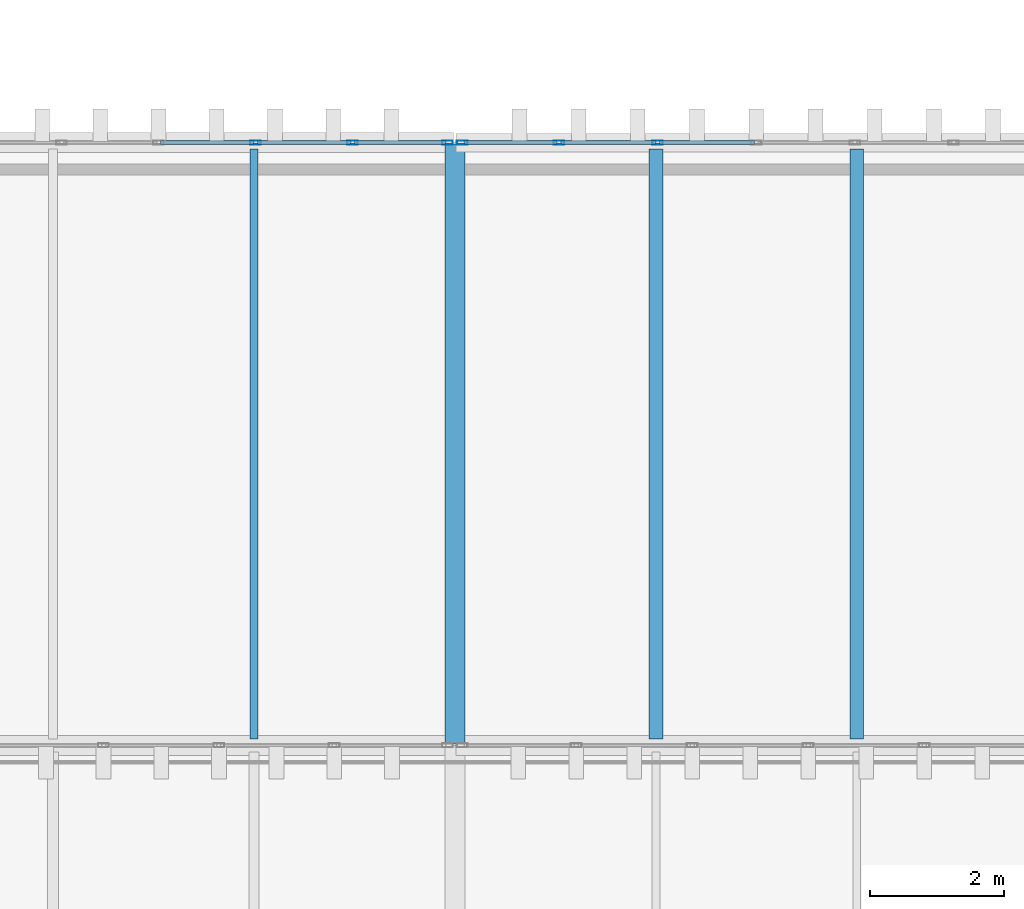
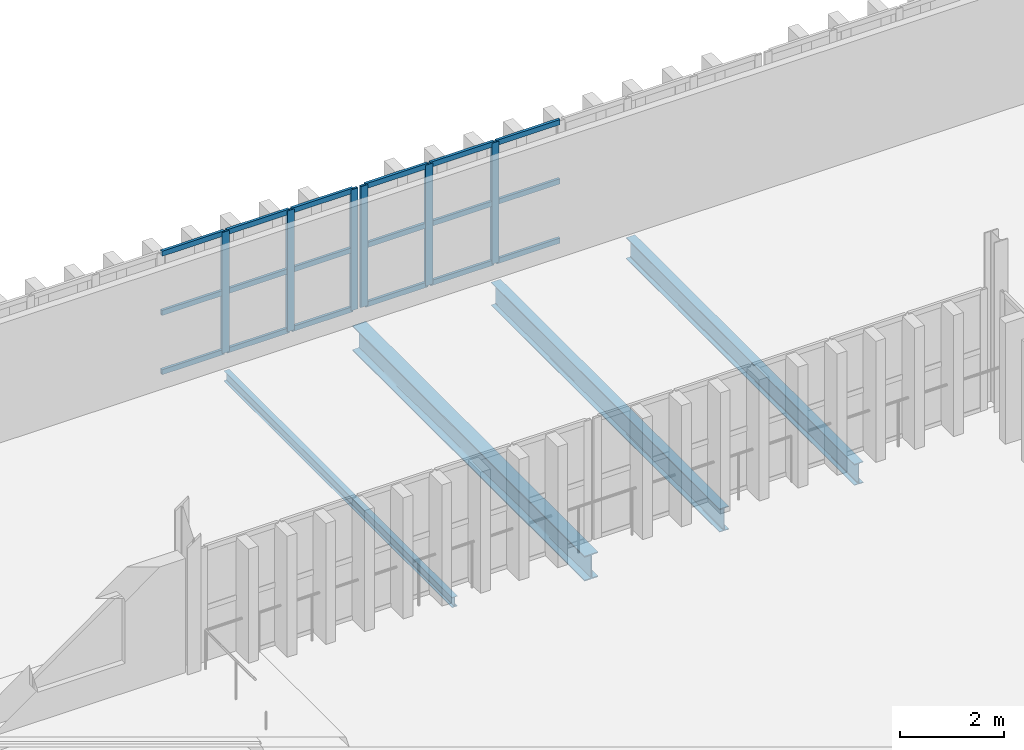
# One storey, part 42 of 102: 24 members, 4 beams, 2 elements without a shape of their own.
"""IFC4 building model written with IfcOpenShell, lengths in metres."""

import ifcopenshell
import ifcopenshell.guid

model = None  # the IFC model being written
_history = None  # IfcOwnerHistory: only IFC2X3 demands one
_inside = {}  # id of a spatial element -> (the spatial element, [elements in it])
_under = {}  # id of a project, library or spatial element -> (it, [spatial elements below it])
_declared = {}  # id of a project -> (the project, [libraries it declares])
_typed = {}  # id of a type object -> (the type object, [elements of that type])
_made_of = {}  # id of a material, layer set ... -> (it, [elements and type objects made of it])


def new_model(schema):
    """Start an empty IFC model of exactly this schema.

    Asked for "IFC4X3", IfcOpenShell would pick the latest addendum, in which some entities
    have other attributes; the version numbers below select the first issue.
    IFC2X3 requires an IfcOwnerHistory on every rooted entity: one is made here for all.
    """
    global model, _history
    if schema == "IFC4X3":
        model = ifcopenshell.file(schema_version=(4, 3, 0, 0))
    else:
        model = ifcopenshell.file(schema=schema)
    _inside.clear()
    _under.clear()
    _declared.clear()
    _typed.clear()
    _made_of.clear()
    _history = None
    if model.schema == "IFC2X3":
        org = make("IfcOrganization", Name="unknown")
        user = make(
            "IfcPersonAndOrganization",
            ThePerson=make("IfcPerson", FamilyName="unknown"),
            TheOrganization=org,
        )
        app = make(
            "IfcApplication",
            ApplicationDeveloper=org,
            Version="unknown",
            ApplicationFullName="unknown",
            ApplicationIdentifier="unknown",
        )
        _history = make(
            "IfcOwnerHistory",
            OwningUser=user,
            OwningApplication=app,
            ChangeAction="ADDED",
            CreationDate=0,
        )
    return model


def make(cls, **values):
    """One entity of the class cls with the attributes given. An attribute that is None is left unset."""
    return model.create_entity(
        cls, **{name: value for name, value in values.items() if value is not None}
    )


def rooted(cls, **values):
    """An entity with a GlobalId (a new one), such as an element, a storey or a relation."""
    return make(cls, GlobalId=ifcopenshell.guid.new(), OwnerHistory=_history, **values)


def si_unit(unit_type, name, prefix=None):
    """IfcSIUnit, for example si_unit("LENGTHUNIT", "METRE", prefix="MILLI")."""
    return make("IfcSIUnit", UnitType=unit_type, Prefix=prefix, Name=name)


def assignment(units):
    """IfcUnitAssignment: the units of a project."""
    return None if units is None else make("IfcUnitAssignment", Units=units)


def point(xyz):
    """IfcCartesianPoint."""
    return None if xyz is None else make("IfcCartesianPoint", Coordinates=xyz)


def direction(xyz):
    """IfcDirection."""
    return None if xyz is None else make("IfcDirection", DirectionRatios=xyz)


def frame(location, z_axis=None, x_axis=None):
    """IfcAxis2Placement3D, a coordinate frame: its origin and axes. An axis left out is left unset."""
    return make(
        "IfcAxis2Placement3D",
        Location=point(location),
        Axis=direction(z_axis),
        RefDirection=direction(x_axis),
    )


def frame_2d(location, x_axis=None):
    """IfcAxis2Placement2D, a coordinate frame in the plane: its origin and x axis."""
    return make(
        "IfcAxis2Placement2D", Location=point(location), RefDirection=direction(x_axis)
    )


def origin():
    """The frame at (0, 0, 0) with its axes left unset."""
    return frame((0.0, 0.0, 0.0))


def origin_2d():
    """The frame at (0, 0) in the plane with its x axis left unset."""
    return frame_2d((0.0, 0.0))


def place(relative_to, where):
    """IfcLocalPlacement: puts the frame where relative to a parent placement (None: the world)."""
    return make(
        "IfcLocalPlacement", PlacementRelTo=relative_to, RelativePlacement=where
    )


def context(
    kind, dimensions, precision=None, world=None, true_north=None, identifier=None
):
    """IfcGeometricRepresentationContext, for example the 3D "Model" context."""
    return make(
        "IfcGeometricRepresentationContext",
        ContextIdentifier=identifier,
        ContextType=kind,
        CoordinateSpaceDimension=dimensions,
        Precision=precision,
        WorldCoordinateSystem=world,
        TrueNorth=true_north,
    )


def subcontext(parent, identifier, kind, view, scale=None):
    """IfcGeometricRepresentationSubContext, for example "Body" below "Model"."""
    return make(
        "IfcGeometricRepresentationSubContext",
        ContextIdentifier=identifier,
        ContextType=kind,
        ParentContext=parent,
        TargetScale=scale,
        TargetView=view,
    )


def project(units=None, contexts=None):
    """IfcProject with its units and contexts."""
    return rooted(
        "IfcProject",
        Name="project",
        RepresentationContexts=contexts,
        UnitsInContext=assignment(units),
    )


def spatial(cls, under=None, at=None, **own):
    """A site, building, storey or space (cls), placed at a placement, below another one or the project."""
    s = rooted(cls, ObjectPlacement=at, **own)
    if under is not None:
        _under.setdefault(under.id(), (under, []))[1].append(s)
    return s


def profile(cls, at=None, kind="AREA", **sizes):
    """A parametric profile (cls). Its sizes go by their IFC names, for example OverallWidth=200.0."""
    return make(cls, ProfileType=kind, Position=at, **sizes)


def hollow_rectangle(**sizes):
    """IfcRectangleHollowProfileDef."""
    return profile("IfcRectangleHollowProfileDef", **sizes)


def i_section(**sizes):
    """IfcIShapeProfileDef."""
    return profile("IfcIShapeProfileDef", **sizes)


def extrude(swept, where, along, depth):
    """IfcExtrudedAreaSolid: the profile swept, set in the frame where, extruded along a direction by depth."""
    return make(
        "IfcExtrudedAreaSolid",
        SweptArea=swept,
        Position=where,
        ExtrudedDirection=direction(along),
        Depth=depth,
    )


def shape(context_of_items, identifier, shape_type, items):
    """IfcShapeRepresentation: the items that make up one representation, for example the "Body"."""
    return make(
        "IfcShapeRepresentation",
        ContextOfItems=context_of_items,
        RepresentationIdentifier=identifier,
        RepresentationType=shape_type,
        Items=items,
    )


def material(Name=None, Category=None):
    """IfcMaterial."""
    return make("IfcMaterial", Name=Name, Category=Category)


def layer(
    of_material, thickness, ventilated=None, Name=None, Category=None, Priority=None
):
    """IfcMaterialLayer: one layer of a wall or slab, of a material (None: an air gap)."""
    return make(
        "IfcMaterialLayer",
        Material=of_material,
        LayerThickness=thickness,
        IsVentilated=ventilated,
        Name=Name,
        Category=Category,
        Priority=Priority,
    )


def layer_set(layers, Name=None):
    """IfcMaterialLayerSet."""
    return make("IfcMaterialLayerSet", MaterialLayers=layers, LayerSetName=Name)


def material_profile(
    of_material, cross_section, Name=None, Category=None, Priority=None
):
    """IfcMaterialProfile: a cross section and its material."""
    return make(
        "IfcMaterialProfile",
        Name=Name,
        Material=of_material,
        Profile=cross_section,
        Priority=Priority,
        Category=Category,
    )


def profile_set(profiles, Name=None, composite=None):
    """IfcMaterialProfileSet."""
    return make(
        "IfcMaterialProfileSet",
        Name=Name,
        MaterialProfiles=profiles,
        CompositeProfile=composite,
    )


def made_of(thing, what):
    """Note that an element or type object is made of a material, layer set ...; save() writes the relation."""
    if what is not None:
        _made_of.setdefault(what.id(), (what, []))[1].append(thing)
    return thing


def type_object(cls, material=None, **own):
    """A type object (cls), such as IfcWallType, which elements share."""
    return made_of(rooted(cls, **own), material)


def element(
    cls,
    number,
    at=None,
    inside=None,
    cuts=None,
    type_object=None,
    material=None,
    context=None,
    identifier="Body",
    shape_type=None,
    held_by="IfcProductDefinitionShape",
    body=None,
    shapes=None,
    **own,
):
    """One element of the class cls, such as IfcWall. Its Tag is "e" and its number.

    at: its placement. inside: the storey or other place that contains it. cuts: it is an
    opening in that element (IfcRelVoidsElement). A single representation is given by context,
    identifier, shape_type and body (its items); several are given by shapes. held_by: the class
    of the entity that holds the representations. save() writes the other relations.
    """
    e = rooted(cls, Tag="e%d" % number, ObjectPlacement=at, **own)
    if body is not None:
        shapes = [shape(context, identifier, shape_type, body)]
    if shapes is not None:
        e.Representation = make(held_by, Representations=shapes)
    if inside is not None:
        _inside.setdefault(inside.id(), (inside, []))[1].append(e)
    if cuts is not None:
        rooted(
            "IfcRelVoidsElement", RelatingBuildingElement=cuts, RelatedOpeningElement=e
        )
    if type_object is not None:
        _typed.setdefault(type_object.id(), (type_object, []))[1].append(e)
    return made_of(e, material)


def aggregate(whole, parts):
    """IfcRelAggregates: a whole, such as a stair, and the parts it consists of."""
    return rooted("IfcRelAggregates", RelatingObject=whole, RelatedObjects=parts)


def save(model, path):
    """Write the relations noted so far, then the file.

    IfcRelAggregates (storeys below a building ...), IfcRelContainedInSpatialStructure (elements
    in a storey), IfcRelDefinesByType, IfcRelAssociatesMaterial and IfcRelDeclares: one each for
    every whole, place, type object, material and project.
    """
    for whole, parts in _under.values():
        aggregate(whole, parts)
    for where, things in _inside.values():
        rooted(
            "IfcRelContainedInSpatialStructure",
            RelatedElements=things,
            RelatingStructure=where,
        )
    for kind, things in _typed.values():
        rooted("IfcRelDefinesByType", RelatedObjects=things, RelatingType=kind)
    for what, things in _made_of.values():
        rooted("IfcRelAssociatesMaterial", RelatedObjects=things, RelatingMaterial=what)
    for by, libraries in _declared.values():
        rooted("IfcRelDeclares", RelatingContext=by, RelatedDefinitions=libraries)
    model.write(path)


model = new_model("IFC4")

# Units and contexts
model_context = context("Model", 3, precision=1e-05, world=origin(), true_north=direction((0.0, 1.0)))
body_context = subcontext(model_context, "Body", "Model", "MODEL_VIEW")
ifc_project = project(units=[si_unit("LENGTHUNIT", "METRE"), si_unit("AREAUNIT", "SQUARE_METRE"), si_unit("VOLUMEUNIT", "CUBIC_METRE"), si_unit("PLANEANGLEUNIT", "RADIAN"), si_unit("MASSUNIT", "GRAM", prefix="KILO")], contexts=[model_context])

# Site, building, storey
site_placement = place(None, origin())
site = spatial("IfcSite", under=ifc_project, at=site_placement, CompositionType="ELEMENT")
building_placement = place(site_placement, origin())
building = spatial("IfcBuilding", under=site, at=building_placement, Name="Barlavento Convention Centre", CompositionType="ELEMENT")
storey_placement = place(building_placement, frame((0.0, 0.0, 22.800048828125)))
storey = spatial("IfcBuildingStorey", under=building, at=storey_placement, Name="L04", CompositionType="ELEMENT", Elevation=22.800048828125)

# Curtain wall, members
ifc_material_1 = material(Name="Powder-coated aluminium and Low-E glass", Category="aluminium")
ifc_layer = layer(ifc_material_1, 0.179931640625)
ifc_layer_set = layer_set([ifc_layer], Name="ARC-CW-PATIO-B")
curtain_wall_type = type_object("IfcCurtainWallType", Name="ARC-CW-PATIO-B", PredefinedType="NOTDEFINED", material=ifc_layer_set)
curtain_wall_1_placement = place(storey_placement, origin())
curtain_wall_1 = element("IfcCurtainWall", 1, at=curtain_wall_1_placement, inside=storey, type_object=curtain_wall_type, Name="L04 unitised curtain wall CW12", PredefinedType="NOTDEFINED")
ifc_material_2 = material(Name="Powder-coated aluminium", Category="aluminium")
ifc_material_profile_1 = material_profile(ifc_material_2, hollow_rectangle(XDim=0.06005859375, YDim=0.159912109375, WallThickness=0.00390625, at=origin_2d()), Name="AL-MULL 60x160x4")
ifc_profile_set_1 = profile_set([ifc_material_profile_1], Name="Powder-coated aluminium")
member_type_1 = type_object("IfcMemberType", Name="ARC-CWM-60X160", PredefinedType="MULLION", material=ifc_profile_set_1)
member_1_placement = place(storey_placement, frame((141.0234375, 63.0, 0.0), z_axis=(0.0, 0.0, 1.0), x_axis=(0.0, 1.0, 0.0)))
member_1 = element("IfcMember", 2, at=member_1_placement, type_object=member_type_1, Name="CW12 mullion 5", PredefinedType="MULLION", context=body_context, shape_type="SweptSolid", body=[
    extrude(hollow_rectangle(XDim=0.06005859375, YDim=0.159912109375, WallThickness=0.00390625, at=origin_2d()), origin(), (0.0, 0.0, 1.0), 2.849853515625),
])
member_2_placement = place(storey_placement, frame((142.4716796875, 63.0, 0.0), z_axis=(0.0, 0.0, 1.0), x_axis=(0.0, 1.0, 0.0)))
member_2 = element("IfcMember", 3, at=member_2_placement, type_object=member_type_1, Name="CW12 mullion 6", PredefinedType="MULLION", context=body_context, shape_type="SweptSolid", body=[
    extrude(hollow_rectangle(XDim=0.06005859375, YDim=0.159912109375, WallThickness=0.00390625, at=origin_2d()), origin(), (0.0, 0.0, 1.0), 2.849853515625),
])
member_3_placement = place(storey_placement, frame((143.889892578125, 63.0, 0.0), z_axis=(0.0, 0.0, 1.0), x_axis=(0.0, 1.0, 0.0)))
member_3 = element("IfcMember", 4, at=member_3_placement, type_object=member_type_1, Name="CW12 mullion 7", PredefinedType="MULLION", context=body_context, shape_type="SweptSolid", body=[
    extrude(hollow_rectangle(XDim=0.06005859375, YDim=0.159912109375, WallThickness=0.00390625, at=origin_2d()), origin(), (0.0, 0.0, 1.0), 2.849853515625),
])

curtain_wall_2_placement = place(storey_placement, origin())
curtain_wall_2 = element("IfcCurtainWall", 5, at=curtain_wall_2_placement, inside=storey, type_object=curtain_wall_type, Name="L04 unitised curtain wall CW12", PredefinedType="NOTDEFINED")
member_4_placement = place(storey_placement, frame((144.110107421875, 63.0, 0.0), z_axis=(0.0, 0.0, 1.0), x_axis=(0.0, 1.0, 0.0)))
member_4 = element("IfcMember", 6, at=member_4_placement, type_object=member_type_1, Name="CW12 mullion 1", PredefinedType="MULLION", context=body_context, shape_type="SweptSolid", body=[
    extrude(hollow_rectangle(XDim=0.06005859375, YDim=0.159912109375, WallThickness=0.00390625, at=origin_2d()), origin(), (0.0, 0.0, 1.0), 2.849853515625),
])
member_5_placement = place(storey_placement, frame((145.55322265625, 63.0, 0.0), z_axis=(0.0, 0.0, 1.0), x_axis=(0.0, 1.0, 0.0)))
member_5 = element("IfcMember", 7, at=member_5_placement, type_object=member_type_1, Name="CW12 mullion 2", PredefinedType="MULLION", context=body_context, shape_type="SweptSolid", body=[
    extrude(hollow_rectangle(XDim=0.06005859375, YDim=0.159912109375, WallThickness=0.00390625, at=origin_2d()), origin(), (0.0, 0.0, 1.0), 2.849853515625),
])
member_6_placement = place(storey_placement, frame((147.026611328125, 63.0, 0.0), z_axis=(0.0, 0.0, 1.0), x_axis=(0.0, 1.0, 0.0)))
member_6 = element("IfcMember", 8, at=member_6_placement, type_object=member_type_1, Name="CW12 mullion 3", PredefinedType="MULLION", context=body_context, shape_type="SweptSolid", body=[
    extrude(hollow_rectangle(XDim=0.06005859375, YDim=0.159912109375, WallThickness=0.00390625, at=origin_2d()), origin(), (0.0, 0.0, 1.0), 2.849853515625),
])

# Member
ifc_material_profile_2 = material_profile(ifc_material_2, hollow_rectangle(XDim=0.06005859375, YDim=0.1201171875, WallThickness=0.00390625, at=origin_2d()), Name="AL-TRAN 60x120x4")
ifc_profile_set_2 = profile_set([ifc_material_profile_2], Name="Powder-coated aluminium")
member_type_2 = type_object("IfcMemberType", Name="ARC-CWT-60X120", PredefinedType="USERDEFINED", material=ifc_profile_set_2)
member_7_placement = place(storey_placement, frame((139.60498046875, 63.0, 0.030029296875), z_axis=(1.0, 0.0, 0.0), x_axis=(0.0, 1.0, 0.0)))
member_7 = element("IfcMember", 9, at=member_7_placement, type_object=member_type_2, Name="CW12 transom 4.1", ObjectType="TRANSOM", PredefinedType="USERDEFINED", context=body_context, shape_type="SweptSolid", body=[
    extrude(hollow_rectangle(XDim=0.06005859375, YDim=0.1201171875, WallThickness=0.00390625, at=origin_2d()), origin(), (0.0, 0.0, 1.0), 1.388427734375),
])

member_8_placement = place(storey_placement, frame((139.60498046875, 63.0, 1.425048828125), z_axis=(1.0, 0.0, 0.0), x_axis=(0.0, 1.0, 0.0)))
member_8 = element("IfcMember", 10, at=member_8_placement, type_object=member_type_2, Name="CW12 transom 4.2", ObjectType="TRANSOM", PredefinedType="USERDEFINED", context=body_context, shape_type="SweptSolid", body=[
    extrude(hollow_rectangle(XDim=0.06005859375, YDim=0.1201171875, WallThickness=0.00390625, at=origin_2d()), origin(), (0.0, 0.0, 1.0), 1.388427734375),
])

member_9_placement = place(storey_placement, frame((139.60498046875, 63.0, 2.820068359375), z_axis=(1.0, 0.0, 0.0), x_axis=(0.0, 1.0, 0.0)))
member_9 = element("IfcMember", 11, at=member_9_placement, type_object=member_type_2, Name="CW12 transom 4.3", ObjectType="TRANSOM", PredefinedType="USERDEFINED", context=body_context, shape_type="SweptSolid", body=[
    extrude(hollow_rectangle(XDim=0.06005859375, YDim=0.1201171875, WallThickness=0.00390625, at=origin_2d()), origin(), (0.0, 0.0, 1.0), 1.388427734375),
])

member_10_placement = place(storey_placement, frame((141.05322265625, 63.0, 0.030029296875), z_axis=(1.0, 0.0, 0.0), x_axis=(0.0, 1.0, 0.0)))
member_10 = element("IfcMember", 12, at=member_10_placement, type_object=member_type_2, Name="CW12 transom 5.1", ObjectType="TRANSOM", PredefinedType="USERDEFINED", context=body_context, shape_type="SweptSolid", body=[
    extrude(hollow_rectangle(XDim=0.06005859375, YDim=0.1201171875, WallThickness=0.00390625, at=origin_2d()), origin(), (0.0, 0.0, 1.0), 1.388427734375),
])

member_11_placement = place(storey_placement, frame((141.05322265625, 63.0, 1.425048828125), z_axis=(1.0, 0.0, 0.0), x_axis=(0.0, 1.0, 0.0)))
member_11 = element("IfcMember", 13, at=member_11_placement, type_object=member_type_2, Name="CW12 transom 5.2", ObjectType="TRANSOM", PredefinedType="USERDEFINED", context=body_context, shape_type="SweptSolid", body=[
    extrude(hollow_rectangle(XDim=0.06005859375, YDim=0.1201171875, WallThickness=0.00390625, at=origin_2d()), origin(), (0.0, 0.0, 1.0), 1.388427734375),
])

member_12_placement = place(storey_placement, frame((141.05322265625, 63.0, 2.820068359375), z_axis=(1.0, 0.0, 0.0), x_axis=(0.0, 1.0, 0.0)))
member_12 = element("IfcMember", 14, at=member_12_placement, type_object=member_type_2, Name="CW12 transom 5.3", ObjectType="TRANSOM", PredefinedType="USERDEFINED", context=body_context, shape_type="SweptSolid", body=[
    extrude(hollow_rectangle(XDim=0.06005859375, YDim=0.1201171875, WallThickness=0.00390625, at=origin_2d()), origin(), (0.0, 0.0, 1.0), 1.388427734375),
])

member_13_placement = place(storey_placement, frame((142.501708984375, 63.0, 0.030029296875), z_axis=(1.0, 0.0, 0.0), x_axis=(0.0, 1.0, 0.0)))
member_13 = element("IfcMember", 15, at=member_13_placement, type_object=member_type_2, Name="CW12 transom 6.1", ObjectType="TRANSOM", PredefinedType="USERDEFINED", context=body_context, shape_type="SweptSolid", body=[
    extrude(hollow_rectangle(XDim=0.06005859375, YDim=0.1201171875, WallThickness=0.00390625, at=origin_2d()), origin(), (0.0, 0.0, 1.0), 1.3583984375),
])

member_14_placement = place(storey_placement, frame((142.501708984375, 63.0, 1.425048828125), z_axis=(1.0, 0.0, 0.0), x_axis=(0.0, 1.0, 0.0)))
member_14 = element("IfcMember", 16, at=member_14_placement, type_object=member_type_2, Name="CW12 transom 6.2", ObjectType="TRANSOM", PredefinedType="USERDEFINED", context=body_context, shape_type="SweptSolid", body=[
    extrude(hollow_rectangle(XDim=0.06005859375, YDim=0.1201171875, WallThickness=0.00390625, at=origin_2d()), origin(), (0.0, 0.0, 1.0), 1.3583984375),
])

member_15_placement = place(storey_placement, frame((142.501708984375, 63.0, 2.820068359375), z_axis=(1.0, 0.0, 0.0), x_axis=(0.0, 1.0, 0.0)))
member_15 = element("IfcMember", 17, at=member_15_placement, type_object=member_type_2, Name="CW12 transom 6.3", ObjectType="TRANSOM", PredefinedType="USERDEFINED", context=body_context, shape_type="SweptSolid", body=[
    extrude(hollow_rectangle(XDim=0.06005859375, YDim=0.1201171875, WallThickness=0.00390625, at=origin_2d()), origin(), (0.0, 0.0, 1.0), 1.3583984375),
])

aggregate(curtain_wall_1, [member_1, member_2, member_3, member_7, member_8, member_9, member_10, member_11, member_12, member_13, member_14, member_15])

member_16_placement = place(storey_placement, frame((144.139892578125, 63.0, 0.030029296875), z_axis=(1.0, 0.0, 0.0), x_axis=(0.0, 1.0, 0.0)))
member_16 = element("IfcMember", 18, at=member_16_placement, type_object=member_type_2, Name="CW12 transom 1.1", ObjectType="TRANSOM", PredefinedType="USERDEFINED", context=body_context, shape_type="SweptSolid", body=[
    extrude(hollow_rectangle(XDim=0.06005859375, YDim=0.1201171875, WallThickness=0.00390625, at=origin_2d()), origin(), (0.0, 0.0, 1.0), 1.383544921875),
])

member_17_placement = place(storey_placement, frame((144.139892578125, 63.0, 1.425048828125), z_axis=(1.0, 0.0, 0.0), x_axis=(0.0, 1.0, 0.0)))
member_17 = element("IfcMember", 19, at=member_17_placement, type_object=member_type_2, Name="CW12 transom 1.2", ObjectType="TRANSOM", PredefinedType="USERDEFINED", context=body_context, shape_type="SweptSolid", body=[
    extrude(hollow_rectangle(XDim=0.06005859375, YDim=0.1201171875, WallThickness=0.00390625, at=origin_2d()), origin(), (0.0, 0.0, 1.0), 1.383544921875),
])

member_18_placement = place(storey_placement, frame((144.139892578125, 63.0, 2.820068359375), z_axis=(1.0, 0.0, 0.0), x_axis=(0.0, 1.0, 0.0)))
member_18 = element("IfcMember", 20, at=member_18_placement, type_object=member_type_2, Name="CW12 transom 1.3", ObjectType="TRANSOM", PredefinedType="USERDEFINED", context=body_context, shape_type="SweptSolid", body=[
    extrude(hollow_rectangle(XDim=0.06005859375, YDim=0.1201171875, WallThickness=0.00390625, at=origin_2d()), origin(), (0.0, 0.0, 1.0), 1.383544921875),
])

member_19_placement = place(storey_placement, frame((145.583251953125, 63.0, 0.030029296875), z_axis=(1.0, 0.0, 0.0), x_axis=(0.0, 1.0, 0.0)))
member_19 = element("IfcMember", 21, at=member_19_placement, type_object=member_type_2, Name="CW12 transom 2.1", ObjectType="TRANSOM", PredefinedType="USERDEFINED", context=body_context, shape_type="SweptSolid", body=[
    extrude(hollow_rectangle(XDim=0.06005859375, YDim=0.1201171875, WallThickness=0.00390625, at=origin_2d()), origin(), (0.0, 0.0, 1.0), 1.413330078125),
])

member_20_placement = place(storey_placement, frame((145.583251953125, 63.0, 1.425048828125), z_axis=(1.0, 0.0, 0.0), x_axis=(0.0, 1.0, 0.0)))
member_20 = element("IfcMember", 22, at=member_20_placement, type_object=member_type_2, Name="CW12 transom 2.2", ObjectType="TRANSOM", PredefinedType="USERDEFINED", context=body_context, shape_type="SweptSolid", body=[
    extrude(hollow_rectangle(XDim=0.06005859375, YDim=0.1201171875, WallThickness=0.00390625, at=origin_2d()), origin(), (0.0, 0.0, 1.0), 1.413330078125),
])

member_21_placement = place(storey_placement, frame((145.583251953125, 63.0, 2.820068359375), z_axis=(1.0, 0.0, 0.0), x_axis=(0.0, 1.0, 0.0)))
member_21 = element("IfcMember", 23, at=member_21_placement, type_object=member_type_2, Name="CW12 transom 2.3", ObjectType="TRANSOM", PredefinedType="USERDEFINED", context=body_context, shape_type="SweptSolid", body=[
    extrude(hollow_rectangle(XDim=0.06005859375, YDim=0.1201171875, WallThickness=0.00390625, at=origin_2d()), origin(), (0.0, 0.0, 1.0), 1.413330078125),
])

member_22_placement = place(storey_placement, frame((147.056640625, 63.0, 0.030029296875), z_axis=(1.0, 0.0, 0.0), x_axis=(0.0, 1.0, 0.0)))
member_22 = element("IfcMember", 24, at=member_22_placement, type_object=member_type_2, Name="CW12 transom 3.1", ObjectType="TRANSOM", PredefinedType="USERDEFINED", context=body_context, shape_type="SweptSolid", body=[
    extrude(hollow_rectangle(XDim=0.06005859375, YDim=0.1201171875, WallThickness=0.00390625, at=origin_2d()), origin(), (0.0, 0.0, 1.0), 1.413330078125),
])

member_23_placement = place(storey_placement, frame((147.056640625, 63.0, 1.425048828125), z_axis=(1.0, 0.0, 0.0), x_axis=(0.0, 1.0, 0.0)))
member_23 = element("IfcMember", 25, at=member_23_placement, type_object=member_type_2, Name="CW12 transom 3.2", ObjectType="TRANSOM", PredefinedType="USERDEFINED", context=body_context, shape_type="SweptSolid", body=[
    extrude(hollow_rectangle(XDim=0.06005859375, YDim=0.1201171875, WallThickness=0.00390625, at=origin_2d()), origin(), (0.0, 0.0, 1.0), 1.413330078125),
])

member_24_placement = place(storey_placement, frame((147.056640625, 63.0, 2.820068359375), z_axis=(1.0, 0.0, 0.0), x_axis=(0.0, 1.0, 0.0)))
member_24 = element("IfcMember", 26, at=member_24_placement, type_object=member_type_2, Name="CW12 transom 3.3", ObjectType="TRANSOM", PredefinedType="USERDEFINED", context=body_context, shape_type="SweptSolid", body=[
    extrude(hollow_rectangle(XDim=0.06005859375, YDim=0.1201171875, WallThickness=0.00390625, at=origin_2d()), origin(), (0.0, 0.0, 1.0), 1.413330078125),
])

aggregate(curtain_wall_2, [member_4, member_5, member_6, member_16, member_17, member_18, member_19, member_20, member_21, member_22, member_23, member_24])

# Beams
ifc_material_3 = material(Name="Steel S355", Category="steel")
ifc_material_profile_3 = material_profile(ifc_material_3, i_section(OverallWidth=0.1201171875, OverallDepth=0.239990234375, WebThickness=0.006103515625, FlangeThickness=0.009765625, FilletRadius=0.014892578125, at=origin_2d()), Name="IPE 240")
ifc_profile_set_3 = profile_set([ifc_material_profile_3], Name="Steel S355")
beam_type_1 = type_object("IfcBeamType", Name="STR-BM-JST-IPE240", PredefinedType="JOIST", material=ifc_profile_set_3)
beam_1_placement = place(storey_placement, frame((141.0, 54.094970703125, -0.47998046875), z_axis=(0.0, 1.0, 0.0), x_axis=(-1.0, 0.0, 0.0)))
element("IfcBeam", 27, at=beam_1_placement, inside=storey, type_object=beam_type_1, Name="L04 composite floor joist SJ09", PredefinedType="JOIST", context=body_context, shape_type="SweptSolid", body=[
    extrude(i_section(OverallWidth=0.1201171875, OverallDepth=0.239990234375, WebThickness=0.006103515625, FlangeThickness=0.009765625, FilletRadius=0.014892578125, at=origin_2d()), origin(), (0.0, 0.0, 1.0), 8.81005859375),
])
ifc_material_profile_4 = material_profile(ifc_material_3, i_section(OverallWidth=0.199951171875, OverallDepth=0.5, WebThickness=0.01025390625, FlangeThickness=0.01611328125, FilletRadius=0.02099609375, at=origin_2d()), Name="IPE 500")
ifc_profile_set_4 = profile_set([ifc_material_profile_4], Name="Steel S355")
beam_type_2 = type_object("IfcBeamType", Name="STR-BM-JST-IPE500", PredefinedType="JOIST", material=ifc_profile_set_4)
beam_2_placement = place(storey_placement, frame((150.0, 54.094970703125, -0.610107421875), z_axis=(0.0, 1.0, 0.0), x_axis=(-1.0, 0.0, 0.0)))
element("IfcBeam", 28, at=beam_2_placement, inside=storey, type_object=beam_type_2, Name="L04 composite floor joist SJ02", PredefinedType="JOIST", context=body_context, shape_type="SweptSolid", body=[
    extrude(i_section(OverallWidth=0.199951171875, OverallDepth=0.5, WebThickness=0.01025390625, FlangeThickness=0.01611328125, FilletRadius=0.02099609375, at=origin_2d()), origin(), (0.0, 0.0, 1.0), 8.81005859375),
])
ifc_material_profile_5 = material_profile(ifc_material_3, i_section(OverallWidth=0.2099609375, OverallDepth=0.550048828125, WebThickness=0.010986328125, FlangeThickness=0.01708984375, FilletRadius=0.02392578125, at=origin_2d()), Name="IPE 550")
ifc_profile_set_5 = profile_set([ifc_material_profile_5], Name="Steel S355")
beam_type_3 = type_object("IfcBeamType", Name="STR-BM-JST-IPE550", PredefinedType="JOIST", material=ifc_profile_set_5)
beam_3_placement = place(storey_placement, frame((147.0, 54.094970703125, -0.635009765625), z_axis=(0.0, 1.0, 0.0), x_axis=(-1.0, 0.0, 0.0)))
element("IfcBeam", 29, at=beam_3_placement, inside=storey, type_object=beam_type_3, Name="L04 composite floor joist SJ01", PredefinedType="JOIST", context=body_context, shape_type="SweptSolid", body=[
    extrude(i_section(OverallWidth=0.2099609375, OverallDepth=0.550048828125, WebThickness=0.010986328125, FlangeThickness=0.01708984375, FilletRadius=0.02392578125, at=origin_2d()), origin(), (0.0, 0.0, 1.0), 8.81005859375),
])
ifc_material_profile_6 = material_profile(ifc_material_3, i_section(OverallWidth=0.300048828125, OverallDepth=0.590087890625, WebThickness=0.012939453125, FlangeThickness=0.02490234375, FilletRadius=0.027099609375, at=origin_2d()), Name="HEA 600")
ifc_profile_set_6 = profile_set([ifc_material_profile_6], Name="Steel S355")
beam_type_4 = type_object("IfcBeamType", Name="STR-BM-PRI-HEA600", PredefinedType="BEAM", material=ifc_profile_set_6)
beam_4_placement = place(storey_placement, frame((144.0, 54.02001953125, -0.655029296875), z_axis=(0.0, 1.0, 0.0), x_axis=(-1.0, 0.0, 0.0)))
element("IfcBeam", 30, at=beam_4_placement, inside=storey, type_object=beam_type_4, Name="L04 grid girder BG18", PredefinedType="BEAM", context=body_context, shape_type="SweptSolid", body=[
    extrude(i_section(OverallWidth=0.300048828125, OverallDepth=0.590087890625, WebThickness=0.012939453125, FlangeThickness=0.02490234375, FilletRadius=0.027099609375, at=origin_2d()), origin(), (0.0, 0.0, 1.0), 8.9599609375),
])

save(model, "model.ifc")
